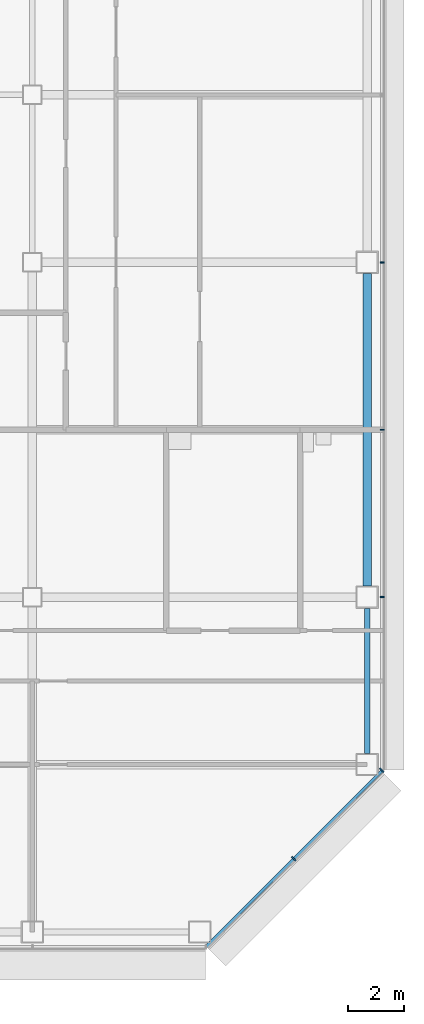
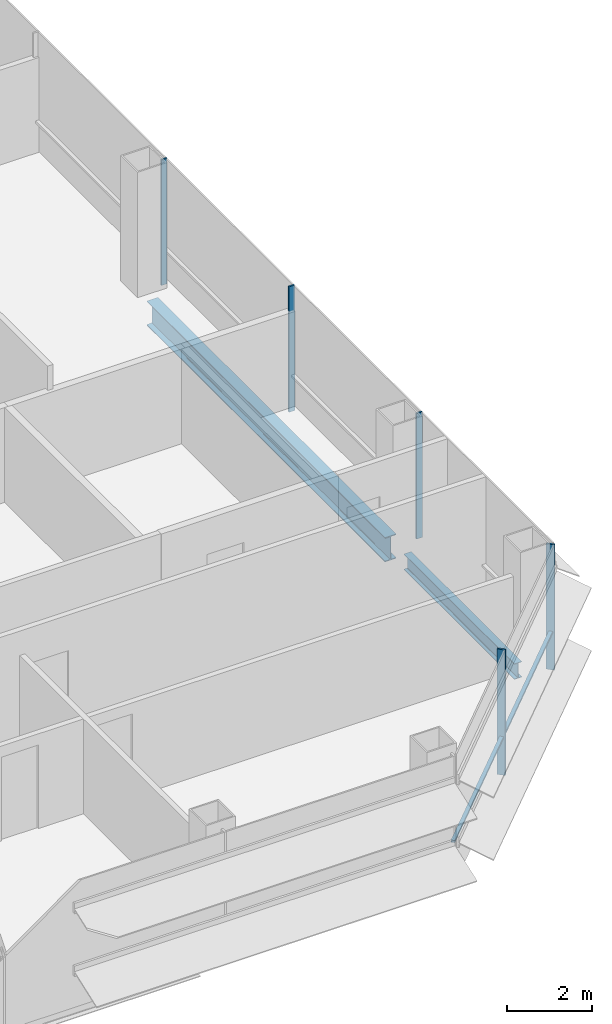
# One storey, part 15 of 25: 6 members, 2 beams, 2 elements without a shape of their own.
"""IFC4 building model written with IfcOpenShell, lengths in metres."""

import ifcopenshell
import ifcopenshell.guid

model = None  # the IFC model being written
_history = None  # IfcOwnerHistory: only IFC2X3 demands one
_inside = {}  # id of a spatial element -> (the spatial element, [elements in it])
_under = {}  # id of a project, library or spatial element -> (it, [spatial elements below it])
_declared = {}  # id of a project -> (the project, [libraries it declares])
_typed = {}  # id of a type object -> (the type object, [elements of that type])
_made_of = {}  # id of a material, layer set ... -> (it, [elements and type objects made of it])


def new_model(schema):
    """Start an empty IFC model of exactly this schema.

    Asked for "IFC4X3", IfcOpenShell would pick the latest addendum, in which some entities
    have other attributes; the version numbers below select the first issue.
    IFC2X3 requires an IfcOwnerHistory on every rooted entity: one is made here for all.
    """
    global model, _history
    if schema == "IFC4X3":
        model = ifcopenshell.file(schema_version=(4, 3, 0, 0))
    else:
        model = ifcopenshell.file(schema=schema)
    _inside.clear()
    _under.clear()
    _declared.clear()
    _typed.clear()
    _made_of.clear()
    _history = None
    if model.schema == "IFC2X3":
        org = make("IfcOrganization", Name="unknown")
        user = make(
            "IfcPersonAndOrganization",
            ThePerson=make("IfcPerson", FamilyName="unknown"),
            TheOrganization=org,
        )
        app = make(
            "IfcApplication",
            ApplicationDeveloper=org,
            Version="unknown",
            ApplicationFullName="unknown",
            ApplicationIdentifier="unknown",
        )
        _history = make(
            "IfcOwnerHistory",
            OwningUser=user,
            OwningApplication=app,
            ChangeAction="ADDED",
            CreationDate=0,
        )
    return model


def make(cls, **values):
    """One entity of the class cls with the attributes given. An attribute that is None is left unset."""
    return model.create_entity(
        cls, **{name: value for name, value in values.items() if value is not None}
    )


def rooted(cls, **values):
    """An entity with a GlobalId (a new one), such as an element, a storey or a relation."""
    return make(cls, GlobalId=ifcopenshell.guid.new(), OwnerHistory=_history, **values)


def si_unit(unit_type, name, prefix=None):
    """IfcSIUnit, for example si_unit("LENGTHUNIT", "METRE", prefix="MILLI")."""
    return make("IfcSIUnit", UnitType=unit_type, Prefix=prefix, Name=name)


def assignment(units):
    """IfcUnitAssignment: the units of a project."""
    return None if units is None else make("IfcUnitAssignment", Units=units)


def point(xyz):
    """IfcCartesianPoint."""
    return None if xyz is None else make("IfcCartesianPoint", Coordinates=xyz)


def direction(xyz):
    """IfcDirection."""
    return None if xyz is None else make("IfcDirection", DirectionRatios=xyz)


def frame(location, z_axis=None, x_axis=None):
    """IfcAxis2Placement3D, a coordinate frame: its origin and axes. An axis left out is left unset."""
    return make(
        "IfcAxis2Placement3D",
        Location=point(location),
        Axis=direction(z_axis),
        RefDirection=direction(x_axis),
    )


def frame_2d(location, x_axis=None):
    """IfcAxis2Placement2D, a coordinate frame in the plane: its origin and x axis."""
    return make(
        "IfcAxis2Placement2D", Location=point(location), RefDirection=direction(x_axis)
    )


def origin():
    """The frame at (0, 0, 0) with its axes left unset."""
    return frame((0.0, 0.0, 0.0))


def origin_2d():
    """The frame at (0, 0) in the plane with its x axis left unset."""
    return frame_2d((0.0, 0.0))


def place(relative_to, where):
    """IfcLocalPlacement: puts the frame where relative to a parent placement (None: the world)."""
    return make(
        "IfcLocalPlacement", PlacementRelTo=relative_to, RelativePlacement=where
    )


def context(
    kind, dimensions, precision=None, world=None, true_north=None, identifier=None
):
    """IfcGeometricRepresentationContext, for example the 3D "Model" context."""
    return make(
        "IfcGeometricRepresentationContext",
        ContextIdentifier=identifier,
        ContextType=kind,
        CoordinateSpaceDimension=dimensions,
        Precision=precision,
        WorldCoordinateSystem=world,
        TrueNorth=true_north,
    )


def subcontext(parent, identifier, kind, view, scale=None):
    """IfcGeometricRepresentationSubContext, for example "Body" below "Model"."""
    return make(
        "IfcGeometricRepresentationSubContext",
        ContextIdentifier=identifier,
        ContextType=kind,
        ParentContext=parent,
        TargetScale=scale,
        TargetView=view,
    )


def project(units=None, contexts=None):
    """IfcProject with its units and contexts."""
    return rooted(
        "IfcProject",
        Name="project",
        RepresentationContexts=contexts,
        UnitsInContext=assignment(units),
    )


def spatial(cls, under=None, at=None, **own):
    """A site, building, storey or space (cls), placed at a placement, below another one or the project."""
    s = rooted(cls, ObjectPlacement=at, **own)
    if under is not None:
        _under.setdefault(under.id(), (under, []))[1].append(s)
    return s


def profile(cls, at=None, kind="AREA", **sizes):
    """A parametric profile (cls). Its sizes go by their IFC names, for example OverallWidth=200.0."""
    return make(cls, ProfileType=kind, Position=at, **sizes)


def rectangle(**sizes):
    """IfcRectangleProfileDef."""
    return profile("IfcRectangleProfileDef", **sizes)


def i_section(**sizes):
    """IfcIShapeProfileDef."""
    return profile("IfcIShapeProfileDef", **sizes)


def extrude(swept, where, along, depth):
    """IfcExtrudedAreaSolid: the profile swept, set in the frame where, extruded along a direction by depth."""
    return make(
        "IfcExtrudedAreaSolid",
        SweptArea=swept,
        Position=where,
        ExtrudedDirection=direction(along),
        Depth=depth,
    )


def shape(context_of_items, identifier, shape_type, items):
    """IfcShapeRepresentation: the items that make up one representation, for example the "Body"."""
    return make(
        "IfcShapeRepresentation",
        ContextOfItems=context_of_items,
        RepresentationIdentifier=identifier,
        RepresentationType=shape_type,
        Items=items,
    )


def material(Name=None, Category=None):
    """IfcMaterial."""
    return make("IfcMaterial", Name=Name, Category=Category)


def material_profile(
    of_material, cross_section, Name=None, Category=None, Priority=None
):
    """IfcMaterialProfile: a cross section and its material."""
    return make(
        "IfcMaterialProfile",
        Name=Name,
        Material=of_material,
        Profile=cross_section,
        Priority=Priority,
        Category=Category,
    )


def profile_set(profiles, Name=None, composite=None):
    """IfcMaterialProfileSet."""
    return make(
        "IfcMaterialProfileSet",
        Name=Name,
        MaterialProfiles=profiles,
        CompositeProfile=composite,
    )


def made_of(thing, what):
    """Note that an element or type object is made of a material, layer set ...; save() writes the relation."""
    if what is not None:
        _made_of.setdefault(what.id(), (what, []))[1].append(thing)
    return thing


def type_object(cls, material=None, **own):
    """A type object (cls), such as IfcWallType, which elements share."""
    return made_of(rooted(cls, **own), material)


def element(
    cls,
    number,
    at=None,
    inside=None,
    cuts=None,
    type_object=None,
    material=None,
    context=None,
    identifier="Body",
    shape_type=None,
    held_by="IfcProductDefinitionShape",
    body=None,
    shapes=None,
    **own,
):
    """One element of the class cls, such as IfcWall. Its Tag is "e" and its number.

    at: its placement. inside: the storey or other place that contains it. cuts: it is an
    opening in that element (IfcRelVoidsElement). A single representation is given by context,
    identifier, shape_type and body (its items); several are given by shapes. held_by: the class
    of the entity that holds the representations. save() writes the other relations.
    """
    e = rooted(cls, Tag="e%d" % number, ObjectPlacement=at, **own)
    if body is not None:
        shapes = [shape(context, identifier, shape_type, body)]
    if shapes is not None:
        e.Representation = make(held_by, Representations=shapes)
    if inside is not None:
        _inside.setdefault(inside.id(), (inside, []))[1].append(e)
    if cuts is not None:
        rooted(
            "IfcRelVoidsElement", RelatingBuildingElement=cuts, RelatedOpeningElement=e
        )
    if type_object is not None:
        _typed.setdefault(type_object.id(), (type_object, []))[1].append(e)
    return made_of(e, material)


def aggregate(whole, parts):
    """IfcRelAggregates: a whole, such as a stair, and the parts it consists of."""
    return rooted("IfcRelAggregates", RelatingObject=whole, RelatedObjects=parts)


def save(model, path):
    """Write the relations noted so far, then the file.

    IfcRelAggregates (storeys below a building ...), IfcRelContainedInSpatialStructure (elements
    in a storey), IfcRelDefinesByType, IfcRelAssociatesMaterial and IfcRelDeclares: one each for
    every whole, place, type object, material and project.
    """
    for whole, parts in _under.values():
        aggregate(whole, parts)
    for where, things in _inside.values():
        rooted(
            "IfcRelContainedInSpatialStructure",
            RelatedElements=things,
            RelatingStructure=where,
        )
    for kind, things in _typed.values():
        rooted("IfcRelDefinesByType", RelatedObjects=things, RelatingType=kind)
    for what, things in _made_of.values():
        rooted("IfcRelAssociatesMaterial", RelatedObjects=things, RelatingMaterial=what)
    for by, libraries in _declared.values():
        rooted("IfcRelDeclares", RelatingContext=by, RelatedDefinitions=libraries)
    model.write(path)


model = new_model("IFC4")

# Units and contexts
model_context = context("Model", 3, precision=1e-05, world=origin(), true_north=direction((0.0, 1.0)))
body_context = subcontext(model_context, "Body", "Model", "MODEL_VIEW")
ifc_project = project(units=[si_unit("LENGTHUNIT", "METRE"), si_unit("AREAUNIT", "SQUARE_METRE"), si_unit("VOLUMEUNIT", "CUBIC_METRE"), si_unit("PLANEANGLEUNIT", "RADIAN"), si_unit("MASSUNIT", "GRAM", prefix="KILO")], contexts=[model_context])

# Site, building, storey
site_placement = place(None, origin())
site = spatial("IfcSite", under=ifc_project, at=site_placement, CompositionType="ELEMENT")
building_placement = place(site_placement, origin())
building = spatial("IfcBuilding", under=site, at=building_placement, Name="Sorahane Residences", CompositionType="ELEMENT")
storey_placement = place(building_placement, frame((0.0, 0.0, 99.800048828125)))
storey = spatial("IfcBuildingStorey", under=building, at=storey_placement, Name="L21", CompositionType="ELEMENT", Elevation=99.800048828125)

# Curtain wall, members
ifc_material_1 = material(Name="Dark low-e glass and black anodised aluminium", Category="aluminium")
curtain_wall_type_1 = type_object("IfcCurtainWallType", Name="Curtain wall CW-1 Typical unitised wall", PredefinedType="NOTDEFINED", material=ifc_material_1)
curtain_wall_1_placement = place(storey_placement, origin())
curtain_wall_1 = element("IfcCurtainWall", 1, at=curtain_wall_1_placement, inside=storey, type_object=curtain_wall_type_1, Name="CW-1 curtain wall L21 E1", PredefinedType="NOTDEFINED")
ifc_material_2 = material(Name="Black anodised aluminium", Category="aluminium")
ifc_material_profile_1 = material_profile(ifc_material_2, rectangle(XDim=0.159912109375, YDim=0.050048828125, at=origin_2d()), Name="Curtain wall mullion CW-1 black anodised aluminium 50x160")
ifc_profile_set_1 = profile_set([ifc_material_profile_1], Name="Black anodised aluminium")
member_type_1 = type_object("IfcMemberType", Name="Curtain wall mullion CW-1 black anodised aluminium 50x160", PredefinedType="MULLION", material=ifc_profile_set_1)
member_1_placement = place(storey_placement, frame((60.5400390625, 12.0, -0.179931640625), z_axis=(0.0, 0.0, 1.0), x_axis=(1.0, 0.0, 0.0)))
member_1 = element("IfcMember", 2, at=member_1_placement, type_object=member_type_1, Name="CW-1 mullion L21 E1.2", PredefinedType="MULLION", context=body_context, shape_type="SweptSolid", body=[
    extrude(rectangle(XDim=0.159912109375, YDim=0.050048828125, at=origin_2d()), origin(), (0.0, 0.0, 1.0), 3.599853515625),
])
member_2_placement = place(storey_placement, frame((60.5400390625, 18.0, -0.179931640625), z_axis=(0.0, 0.0, 1.0), x_axis=(1.0, 0.0, 0.0)))
member_2 = element("IfcMember", 3, at=member_2_placement, type_object=member_type_1, Name="CW-1 mullion L21 E1.3", PredefinedType="MULLION", context=body_context, shape_type="SweptSolid", body=[
    extrude(rectangle(XDim=0.159912109375, YDim=0.050048828125, at=origin_2d()), origin(), (0.0, 0.0, 1.0), 3.599853515625),
])
member_3_placement = place(storey_placement, frame((60.5400390625, 24.0, -0.179931640625), z_axis=(0.0, 0.0, 1.0), x_axis=(1.0, 0.0, 0.0)))
member_3 = element("IfcMember", 4, at=member_3_placement, type_object=member_type_1, Name="CW-1 mullion L21 E1.4", PredefinedType="MULLION", context=body_context, shape_type="SweptSolid", body=[
    extrude(rectangle(XDim=0.159912109375, YDim=0.050048828125, at=origin_2d()), origin(), (0.0, 0.0, 1.0), 3.599853515625),
])
aggregate(curtain_wall_1, [member_1, member_2, member_3])

ifc_material_3 = material(Name="Dark low-e glass and black anodised aluminium", Category="aluminium")
curtain_wall_type_2 = type_object("IfcCurtainWallType", Name="Curtain wall CW-2 Chamfer unitised wall", PredefinedType="NOTDEFINED", material=ifc_material_3)
curtain_wall_2_placement = place(storey_placement, origin())
curtain_wall_2 = element("IfcCurtainWall", 5, at=curtain_wall_2_placement, inside=storey, type_object=curtain_wall_type_2, Name="CW-2 curtain wall L21 SE1", PredefinedType="NOTDEFINED")
ifc_material_4 = material(Name="Black anodised aluminium", Category="aluminium")
ifc_material_profile_2 = material_profile(ifc_material_4, rectangle(XDim=0.199951171875, YDim=0.050048828125, at=origin_2d()), Name="Curtain wall mullion CW-2 black anodised aluminium 50x200")
ifc_profile_set_2 = profile_set([ifc_material_profile_2], Name="Black anodised aluminium")
member_type_2 = type_object("IfcMemberType", Name="Curtain wall mullion CW-2 black anodised aluminium 50x200", PredefinedType="MULLION", material=ifc_profile_set_2)
member_4_placement = place(storey_placement, frame((57.36767578125, 2.63232421875, -0.179931640625), z_axis=(0.0, 0.0, 1.0), x_axis=(0.707106781187, -0.707106781187, 0.0)))
member_4 = element("IfcMember", 6, at=member_4_placement, type_object=member_type_2, Name="CW-2 mullion L21 SE1.2", PredefinedType="MULLION", context=body_context, shape_type="SweptSolid", body=[
    extrude(rectangle(XDim=0.199951171875, YDim=0.050048828125, at=origin_2d()), origin(), (0.0, 0.0, 1.0), 3.599853515625),
])
member_5_placement = place(storey_placement, frame((60.525634765625, 5.790283203125, -0.179931640625), z_axis=(0.0, 0.0, 1.0), x_axis=(0.707106781187, -0.707106781187, 0.0)))
member_5 = element("IfcMember", 7, at=member_5_placement, type_object=member_type_2, Name="CW-2 mullion L21 SE1.3", PredefinedType="MULLION", context=body_context, shape_type="SweptSolid", body=[
    extrude(rectangle(XDim=0.199951171875, YDim=0.050048828125, at=origin_2d()), origin(), (0.0, 0.0, 1.0), 3.599853515625),
])
ifc_material_5 = material(Name="Black anodised aluminium", Category="aluminium")
ifc_material_profile_3 = material_profile(ifc_material_5, rectangle(XDim=0.10009765625, YDim=0.06005859375, at=origin_2d()), Name="Curtain wall transom CW-2 black anodised aluminium 60x100")
ifc_profile_set_3 = profile_set([ifc_material_profile_3], Name="Black anodised aluminium")
member_type_3 = type_object("IfcMemberType", Name="Curtain wall transom CW-2 black anodised aluminium 60x100", PredefinedType="USERDEFINED", material=ifc_profile_set_3)
member_6_placement = place(storey_placement, frame((54.234375, -0.51513671875, 0.89990234375), z_axis=(0.707106781187, 0.707106781187, 0.0), x_axis=(-0.707106781187, 0.707106781187, 0.0)))
member_6 = element("IfcMember", 8, at=member_6_placement, type_object=member_type_3, Name="CW-2 transom L21 SE1", ObjectType="TRANSOM", PredefinedType="USERDEFINED", context=body_context, shape_type="SweptSolid", body=[
    extrude(rectangle(XDim=0.10009765625, YDim=0.06005859375, at=origin_2d()), origin(), (0.0, 0.0, 1.0), 8.88232421875),
])
aggregate(curtain_wall_2, [member_4, member_5, member_6])

# Beams
ifc_material_6 = material(Name="Steel Q355B", Category="steel")
ifc_material_profile_4 = material_profile(ifc_material_6, i_section(OverallWidth=0.199951171875, OverallDepth=0.449951171875, WebThickness=0.009033203125, FlangeThickness=0.013916015625, FilletRadius=0.02001953125, at=origin_2d()), Name="HN 450x200x9x14")
ifc_profile_set_4 = profile_set([ifc_material_profile_4], Name="Steel Q355B")
beam_type_1 = type_object("IfcBeamType", Name="Steel floor beam HN 450x200x9x14 Q355B", PredefinedType="BEAM", material=ifc_profile_set_4)
beam_1_placement = place(storey_placement, frame((60.0, 6.39990234375, -0.405029296875), z_axis=(0.0, 1.0, 0.0), x_axis=(-1.0, 0.0, 0.0)))
element("IfcBeam", 9, at=beam_1_placement, inside=storey, type_object=beam_type_1, Name="Beam L21 064", PredefinedType="BEAM", context=body_context, shape_type="SweptSolid", body=[
    extrude(i_section(OverallWidth=0.199951171875, OverallDepth=0.449951171875, WebThickness=0.009033203125, FlangeThickness=0.013916015625, FilletRadius=0.02001953125, at=origin_2d()), origin(), (0.0, 0.0, 1.0), 5.2001953125),
])
ifc_material_7 = material(Name="Steel Q355B", Category="steel")
ifc_material_profile_5 = material_profile(ifc_material_7, i_section(OverallWidth=0.300048828125, OverallDepth=0.699951171875, WebThickness=0.012939453125, FlangeThickness=0.02392578125, FilletRadius=0.028076171875, at=origin_2d()), Name="HN 700x300x13x24")
ifc_profile_set_5 = profile_set([ifc_material_profile_5], Name="Steel Q355B")
beam_type_2 = type_object("IfcBeamType", Name="Steel floor beam HN 700x300x13x24 Q355B", PredefinedType="BEAM", material=ifc_profile_set_5)
beam_2_placement = place(storey_placement, frame((60.0, 12.39990234375, -0.530029296875), z_axis=(0.0, 1.0, 0.0), x_axis=(-1.0, 0.0, 0.0)))
element("IfcBeam", 10, at=beam_2_placement, inside=storey, type_object=beam_type_2, Name="Beam L21 065", PredefinedType="BEAM", context=body_context, shape_type="SweptSolid", body=[
    extrude(i_section(OverallWidth=0.300048828125, OverallDepth=0.699951171875, WebThickness=0.012939453125, FlangeThickness=0.02392578125, FilletRadius=0.028076171875, at=origin_2d()), origin(), (0.0, 0.0, 1.0), 11.2001953125),
])

save(model, "model.ifc")
